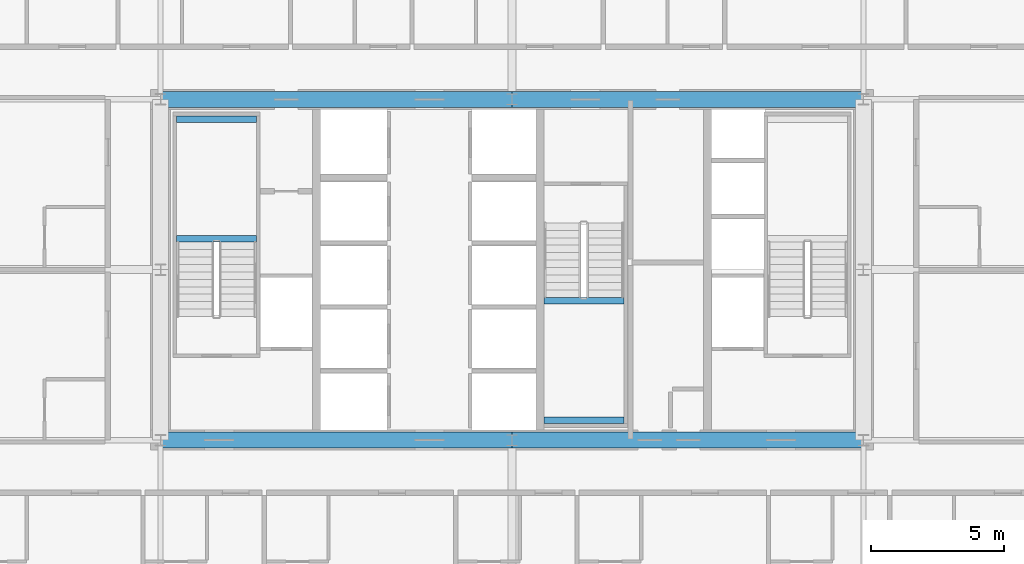
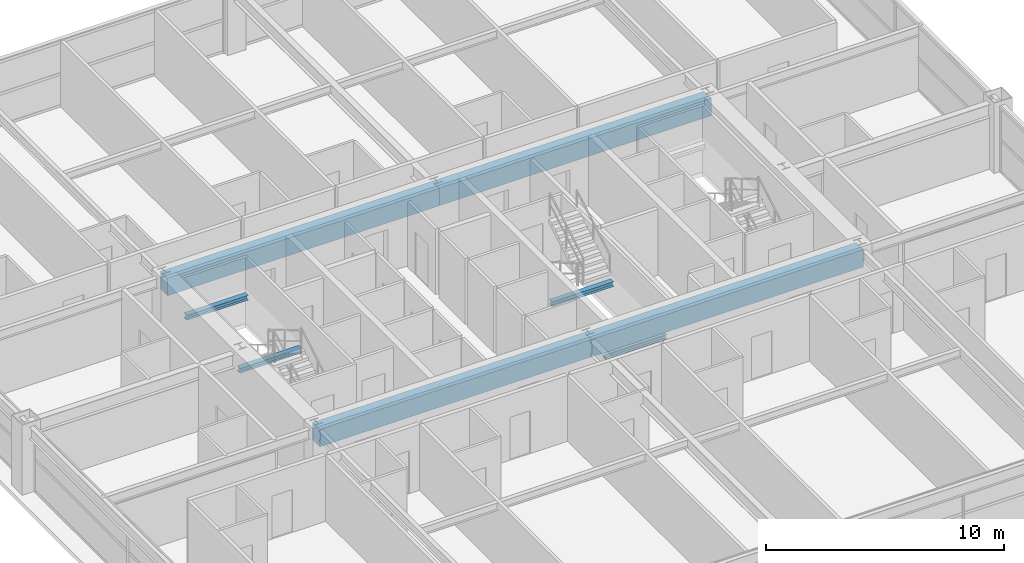
# One storey, part 12 of 38: 8 beams.
"""IFC4 building model written with IfcOpenShell, lengths in metres."""

from ifc_helpers import new_model, si_unit, direction, frame, origin, origin_2d, place, context, subcontext, project, spatial, rectangle, i_section, extrude, source, transform, mapped, material, material_profile, profile_set, type_object, element, save


model = new_model("IFC4")

# Units and contexts
model_context = context("Model", 3, precision=1e-05, world=origin(), true_north=direction((0.0, 1.0)))
body_context = subcontext(model_context, "Body", "Model", "MODEL_VIEW")
ifc_project = project(units=[si_unit("LENGTHUNIT", "METRE"), si_unit("AREAUNIT", "SQUARE_METRE"), si_unit("VOLUMEUNIT", "CUBIC_METRE"), si_unit("PLANEANGLEUNIT", "RADIAN"), si_unit("MASSUNIT", "GRAM", prefix="KILO"), si_unit("THERMODYNAMICTEMPERATUREUNIT", "KELVIN"), si_unit("POWERUNIT", "WATT")], contexts=[model_context])

# Site, building, storey
site_placement = place(None, origin())
site = spatial("IfcSite", under=ifc_project, at=site_placement, CompositionType="ELEMENT")
building_placement = place(site_placement, origin())
building = spatial("IfcBuilding", under=site, at=building_placement, Name="Yuzanri Waterfront Tower", CompositionType="ELEMENT")
storey_placement = place(building_placement, frame((0.0, 0.0, 97.39990234375)))
storey = spatial("IfcBuildingStorey", under=building, at=storey_placement, Name="L25", CompositionType="ELEMENT", Elevation=97.39990234375)

# Beams
ifc_material_1 = material(Name="Concrete C60", Category="concrete")
ifc_material_profile_1 = material_profile(ifc_material_1, rectangle(XDim=0.60009765625, YDim=0.89990234375, at=origin_2d()), Name="RC 600x900")
ifc_profile_set_1 = profile_set([ifc_material_profile_1], Name="Concrete C60")
beam_type_1 = type_object("IfcBeamType", Name="Core Coupling Lintel Concrete C60 600x900", PredefinedType="LINTEL", material=ifc_profile_set_1)
shared_shape_1 = source(origin(), body_context, "Body", "SweptSolid", [
    extrude(rectangle(XDim=0.60009765625, YDim=0.89990234375, at=origin_2d()), origin(), (0.0, 0.0, 1.0), 13.199951171875),
])
for number, where, z_axis, x_axis, name in (
    (1, (23.800048828125, 19.39990234375, 2.93017578125), (1.0, 0.0, 0.0), (0.0, 1.0, 0.0), "L25 Core Tie Beam CS1"),
    (2, (37.0, 19.39990234375, 2.93017578125), (1.0, 0.0, 0.0), (0.0, 1.0, 0.0), "L25 Core Tie Beam CS2"),
    (3, (23.800048828125, 32.199951171875, 2.93017578125), (1.0, 0.0, 0.0), (0.0, 1.0, 0.0), "L25 Core Tie Beam CN1"),
    (4, (37.0, 32.199951171875, 2.93017578125), (1.0, 0.0, 0.0), (0.0, 1.0, 0.0), "L25 Core Tie Beam CN2"),
):
    element("IfcBeam", number, at=place(storey_placement, frame(where, z_axis=z_axis, x_axis=x_axis)), inside=storey, type_object=beam_type_1, Name=name, PredefinedType="LINTEL", context=body_context, shape_type="MappedRepresentation", body=[
        mapped(shared_shape_1, transform((0.0, 0.0, 0.0), scale=1.0)),
    ])
ifc_material_2 = material(Name="Steel Q355B", Category="steel")
ifc_material_profile_2 = material_profile(ifc_material_2, i_section(OverallWidth=0.25, OverallDepth=0.25, WebThickness=0.009033203125, FlangeThickness=0.013916015625, at=origin_2d()), Name="HW 250x250x9x14")
ifc_profile_set_2 = profile_set([ifc_material_profile_2], Name="Steel Q355B")
beam_type_2 = type_object("IfcBeamType", Name="Stair Landing Support Beam Q355B HW 250x250", PredefinedType="BEAM", material=ifc_profile_set_2)
shared_shape_2 = source(origin(), body_context, "Body", "SweptSolid", [
    extrude(i_section(OverallWidth=0.25, OverallDepth=0.25, WebThickness=0.009033203125, FlangeThickness=0.013916015625, at=origin_2d()), origin(), (0.0, 0.0, 1.0), 3.0),
])
for number, where, z_axis, x_axis, name in (
    (5, (24.39990234375, 26.969970703125, 1.47509765625), (1.0, 0.0, 0.0), (0.0, 1.0, 0.0), "L25 Stair Landing Support Beam ST-01-L25-L1-1"),
    (6, (24.39990234375, 31.449951171875, 1.47509765625), (1.0, 0.0, 0.0), (0.0, 1.0, 0.0), "L25 Stair Landing Support Beam ST-01-L25-L1-2"),
    (7, (38.199951171875, 20.14990234375, 1.47509765625), (1.0, 0.0, 0.0), (0.0, 1.0, 0.0), "L25 Stair Landing Support Beam ST-03-L25-L1-1"),
    (8, (38.199951171875, 24.6298828125, 1.47509765625), (1.0, 0.0, 0.0), (0.0, 1.0, 0.0), "L25 Stair Landing Support Beam ST-03-L25-L1-2"),
):
    element("IfcBeam", number, at=place(storey_placement, frame(where, z_axis=z_axis, x_axis=x_axis)), inside=storey, type_object=beam_type_2, Name=name, PredefinedType="BEAM", context=body_context, shape_type="MappedRepresentation", body=[
        mapped(shared_shape_2, transform((0.0, 0.0, 0.0), scale=1.0)),
    ])

save(model, "model.ifc")
